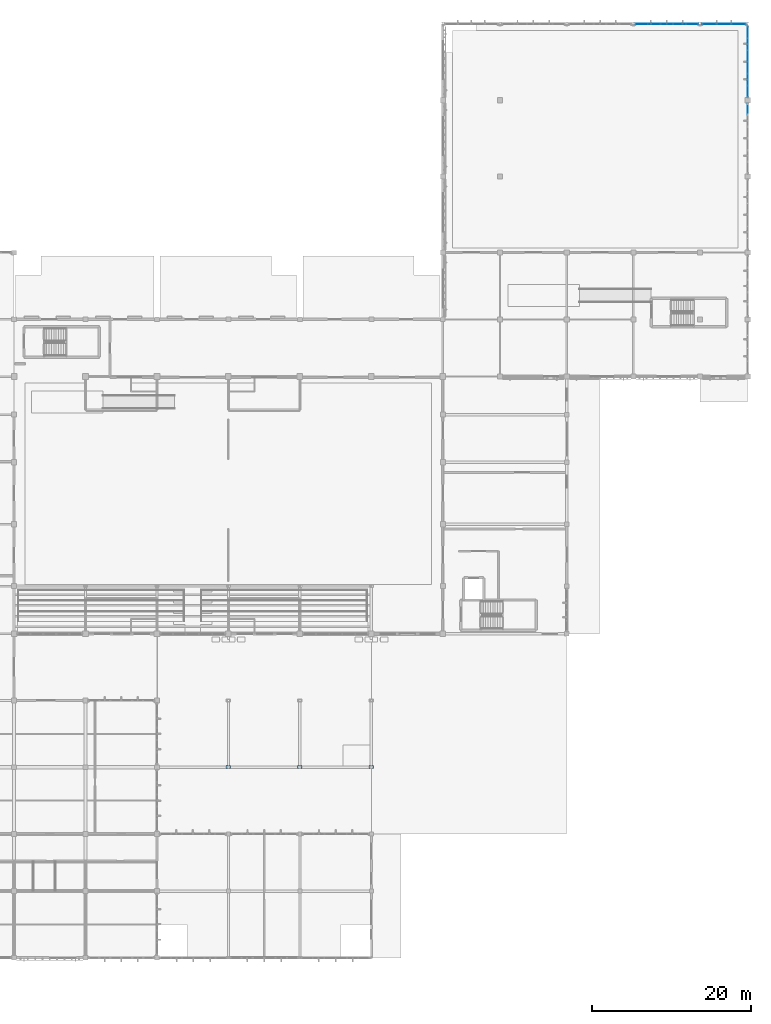
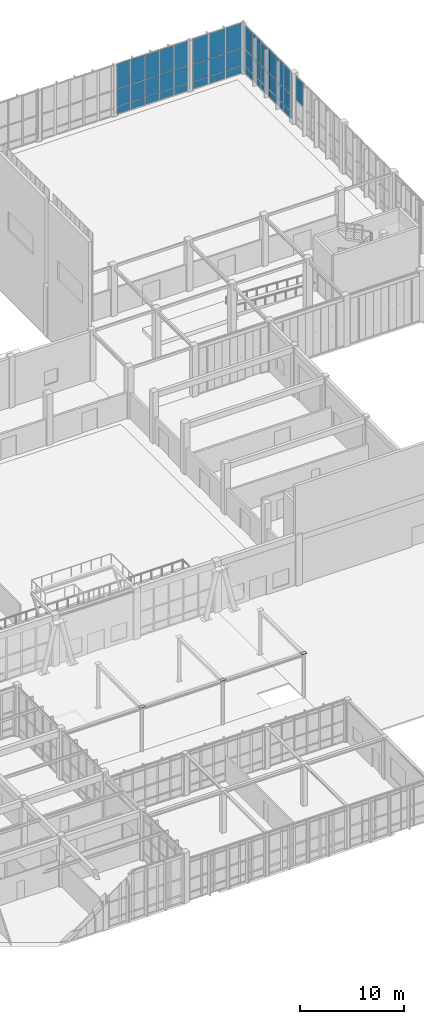
# One storey, part 71 of 110: 46 plates, 4 elements without a shape of their own.
"""IFC4 building model written with IfcOpenShell, lengths in metres."""

from ifc_helpers import new_model, si_unit, direction, frame, origin, origin_2d, place, context, subcontext, project, spatial, rectangle, extrude, material, layer, layer_set, type_object, element, aggregate, save


model = new_model("IFC4")

# Units and contexts
model_context = context("Model", 3, precision=1e-05, world=origin(), true_north=direction((0.0, 1.0)))
body_context = subcontext(model_context, "Body", "Model", "MODEL_VIEW")
ifc_project = project(units=[si_unit("LENGTHUNIT", "METRE"), si_unit("AREAUNIT", "SQUARE_METRE"), si_unit("VOLUMEUNIT", "CUBIC_METRE"), si_unit("PLANEANGLEUNIT", "RADIAN"), si_unit("MASSUNIT", "GRAM", prefix="KILO")], contexts=[model_context])

# Site, building, storey
site_placement = place(None, origin())
site = spatial("IfcSite", under=ifc_project, at=site_placement, CompositionType="ELEMENT")
building_placement = place(site_placement, origin())
building = spatial("IfcBuilding", under=site, at=building_placement, Name="Tizgana Railside Sports Hall", CompositionType="ELEMENT")
storey_placement = place(building_placement, origin())
storey = spatial("IfcBuildingStorey", under=building, at=storey_placement, Name="L00", CompositionType="ELEMENT", Elevation=0.0)

# Curtain wall, plates
ifc_material_1 = material(Name="Anodised aluminium and glass", Category="aluminium")
curtain_wall_type_1 = type_object("IfcCurtainWallType", Name="Unitised Curtain Wall Passage 1800", PredefinedType="NOTDEFINED", material=ifc_material_1)
curtain_wall_1_placement = place(storey_placement, origin())
curtain_wall_1 = element("IfcCurtainWall", 1, at=curtain_wall_1_placement, inside=storey, type_object=curtain_wall_type_1, Name="L00 Curtain Wall CW-0053", PredefinedType="NOTDEFINED")
ifc_material_2 = material(Name="Double low-E laminated glass", Category="glass")
ifc_layer_1 = layer(ifc_material_2, 0.033935546875, Name="Double low-E laminated glass")
ifc_layer_set_1 = layer_set([ifc_layer_1], Name="Double low-E laminated glass")
plate_type_1 = type_object("IfcPlateType", Name="Acoustic Laminated Glazing Panel 34", PredefinedType="CURTAIN_PANEL", material=ifc_layer_set_1)
plate_1_placement = place(storey_placement, frame((167.35546875, 117.60009765625, 0.10009765625), z_axis=(0.0, 0.0, 1.0), x_axis=(1.0, 0.0, 0.0)))
plate_1 = element("IfcPlate", 2, at=plate_1_placement, type_object=plate_type_1, Name="CW-06 panel 1.1", PredefinedType="CURTAIN_PANEL", context=body_context, shape_type="SweptSolid", body=[
    extrude(rectangle(XDim=1.750732421875, YDim=0.033935546875, at=origin_2d()), origin(), (0.0, 0.0, 1.0), 0.8173828125),
])
plate_2_placement = place(storey_placement, frame((167.35546875, 117.60009765625, 0.972412109375), z_axis=(0.0, 0.0, 1.0), x_axis=(1.0, 0.0, 0.0)))
plate_2 = element("IfcPlate", 3, at=plate_2_placement, type_object=plate_type_1, Name="CW-06 panel 1.2", PredefinedType="CURTAIN_PANEL", context=body_context, shape_type="SweptSolid", body=[
    extrude(rectangle(XDim=1.750732421875, YDim=0.033935546875, at=origin_2d()), origin(), (0.0, 0.0, 1.0), 2.0224609375),
])
plate_3_placement = place(storey_placement, frame((167.35546875, 117.60009765625, 3.050048828125), z_axis=(0.0, 0.0, 1.0), x_axis=(1.0, 0.0, 0.0)))
plate_3 = element("IfcPlate", 4, at=plate_3_placement, type_object=plate_type_1, Name="CW-06 panel 1.3", PredefinedType="CURTAIN_PANEL", context=body_context, shape_type="SweptSolid", body=[
    extrude(rectangle(XDim=1.750732421875, YDim=0.033935546875, at=origin_2d()), origin(), (0.0, 0.0, 1.0), 2.89501953125),
])
plate_4_placement = place(storey_placement, frame((169.199951171875, 117.60009765625, 0.10009765625), z_axis=(0.0, 0.0, 1.0), x_axis=(1.0, 0.0, 0.0)))
plate_4 = element("IfcPlate", 5, at=plate_4_placement, type_object=plate_type_1, Name="CW-06 panel 2.1", PredefinedType="CURTAIN_PANEL", context=body_context, shape_type="SweptSolid", body=[
    extrude(rectangle(XDim=1.788330078125, YDim=0.033935546875, at=origin_2d()), origin(), (0.0, 0.0, 1.0), 0.8173828125),
])
plate_5_placement = place(storey_placement, frame((169.199951171875, 117.60009765625, 0.972412109375), z_axis=(0.0, 0.0, 1.0), x_axis=(1.0, 0.0, 0.0)))
plate_5 = element("IfcPlate", 6, at=plate_5_placement, type_object=plate_type_1, Name="CW-06 panel 2.2", PredefinedType="CURTAIN_PANEL", context=body_context, shape_type="SweptSolid", body=[
    extrude(rectangle(XDim=1.788330078125, YDim=0.033935546875, at=origin_2d()), origin(), (0.0, 0.0, 1.0), 2.0224609375),
])
plate_6_placement = place(storey_placement, frame((169.199951171875, 117.60009765625, 3.050048828125), z_axis=(0.0, 0.0, 1.0), x_axis=(1.0, 0.0, 0.0)))
plate_6 = element("IfcPlate", 7, at=plate_6_placement, type_object=plate_type_1, Name="CW-06 panel 2.3", PredefinedType="CURTAIN_PANEL", context=body_context, shape_type="SweptSolid", body=[
    extrude(rectangle(XDim=1.788330078125, YDim=0.033935546875, at=origin_2d()), origin(), (0.0, 0.0, 1.0), 2.89501953125),
])
plate_7_placement = place(storey_placement, frame((171.044677734375, 117.60009765625, 0.10009765625), z_axis=(0.0, 0.0, 1.0), x_axis=(1.0, 0.0, 0.0)))
plate_7 = element("IfcPlate", 8, at=plate_7_placement, type_object=plate_type_1, Name="CW-06 panel 3.1", PredefinedType="CURTAIN_PANEL", context=body_context, shape_type="SweptSolid", body=[
    extrude(rectangle(XDim=1.750732421875, YDim=0.033935546875, at=origin_2d()), origin(), (0.0, 0.0, 1.0), 0.8173828125),
])
plate_8_placement = place(storey_placement, frame((171.044677734375, 117.60009765625, 0.972412109375), z_axis=(0.0, 0.0, 1.0), x_axis=(1.0, 0.0, 0.0)))
plate_8 = element("IfcPlate", 9, at=plate_8_placement, type_object=plate_type_1, Name="CW-06 panel 3.2", PredefinedType="CURTAIN_PANEL", context=body_context, shape_type="SweptSolid", body=[
    extrude(rectangle(XDim=1.750732421875, YDim=0.033935546875, at=origin_2d()), origin(), (0.0, 0.0, 1.0), 2.0224609375),
])
plate_9_placement = place(storey_placement, frame((171.044677734375, 117.60009765625, 3.050048828125), z_axis=(0.0, 0.0, 1.0), x_axis=(1.0, 0.0, 0.0)))
plate_9 = element("IfcPlate", 10, at=plate_9_placement, type_object=plate_type_1, Name="CW-06 panel 3.3", PredefinedType="CURTAIN_PANEL", context=body_context, shape_type="SweptSolid", body=[
    extrude(rectangle(XDim=1.750732421875, YDim=0.033935546875, at=origin_2d()), origin(), (0.0, 0.0, 1.0), 2.89501953125),
])
aggregate(curtain_wall_1, [plate_1, plate_2, plate_3, plate_4, plate_5, plate_6, plate_7, plate_8, plate_9])

# Curtain wall, plate
curtain_wall_type_2 = type_object("IfcCurtainWallType", Name="Unitised Curtain Wall Foyer 1300", PredefinedType="NOTDEFINED", material=ifc_material_1)
curtain_wall_2_placement = place(storey_placement, origin())
curtain_wall_2 = element("IfcCurtainWall", 11, at=curtain_wall_2_placement, inside=storey, type_object=curtain_wall_type_2, Name="L00 Curtain Wall CW-0065", PredefinedType="NOTDEFINED")
plate_10_placement = place(storey_placement, frame((172.199951171875, 106.864501953125, 2.929931640625), z_axis=(0.0, 0.0, 1.0), x_axis=(0.0, 1.0, 0.0)))
plate_10 = element("IfcPlate", 12, at=plate_10_placement, type_object=plate_type_1, Name="CW-02 panel 6.3", PredefinedType="CURTAIN_PANEL", context=body_context, shape_type="SweptSolid", body=[
    extrude(rectangle(XDim=1.36083984375, YDim=0.033935546875, at=origin_2d()), origin(), (0.0, 0.0, 1.0), 2.77490234375),
])
aggregate(curtain_wall_2, [plate_10])

# Plates
ifc_material_3 = material(Name="Steel S355J2", Category="steel")
ifc_layer_2 = layer(ifc_material_3, 0.028076171875, Name="Steel S355J2")
ifc_layer_set_2 = layer_set([ifc_layer_2], Name="Steel S355J2")
plate_type_2 = type_object("IfcPlateType", Name="Canopy Post Base Plate 560x380x28", PredefinedType="USERDEFINED", material=ifc_layer_set_2)
for number, where, z_axis, x_axis, name in (
    (13, (106.800048828125, 24.0, 5.19580078125), (0.0, 0.0, 1.0), (1.0, 0.0, 0.0), "L00 Canopy Column Cap Plate"),
    (14, (115.800048828125, 24.0, 5.19580078125), (0.0, 0.0, 1.0), (1.0, 0.0, 0.0), "L00 Canopy Column Cap Plate"),
    (15, (124.800048828125, 24.0, 5.19580078125), (0.0, 0.0, 1.0), (1.0, 0.0, 0.0), "L00 Canopy Column Cap Plate"),
):
    element("IfcPlate", number, at=place(storey_placement, frame(where, z_axis=z_axis, x_axis=x_axis)), inside=storey, type_object=plate_type_2, Name=name, ObjectType="BASE_PLATE", PredefinedType="USERDEFINED", context=body_context, shape_type="SweptSolid", body=[
        extrude(rectangle(XDim=0.56005859375, YDim=0.3798828125, at=origin_2d()), origin(), (0.0, 0.0, 1.0), 0.028076171875),
    ])

# Curtain wall, plates
curtain_wall_type_3 = type_object("IfcCurtainWallType", Name="Unitised Curtain Wall Studio 1400", PredefinedType="NOTDEFINED", material=ifc_material_1)
curtain_wall_3_placement = place(storey_placement, origin())
curtain_wall_3 = element("IfcCurtainWall", 16, at=curtain_wall_3_placement, inside=storey, type_object=curtain_wall_type_3, Name="L00 Curtain Wall CW-0050", PredefinedType="NOTDEFINED")
ifc_layer_3 = layer(ifc_material_2, 0.0400390625, Name="Double low-E laminated glass")
ifc_layer_set_3 = layer_set([ifc_layer_3], Name="Double low-E laminated glass")
plate_type_3 = type_object("IfcPlateType", Name="High-Span Tempered Glazing Panel 40", PredefinedType="CURTAIN_PANEL", material=ifc_layer_set_3)
plate_11_placement = place(storey_placement, frame((158.819091796875, 117.60009765625, 0.10498046875), z_axis=(0.0, 0.0, 1.0), x_axis=(1.0, 0.0, 0.0)))
plate_11 = element("IfcPlate", 17, at=plate_11_placement, type_object=plate_type_3, Name="CW-03 panel 1.1", PredefinedType="CURTAIN_PANEL", context=body_context, shape_type="SweptSolid", body=[
    extrude(rectangle(XDim=1.508056640625, YDim=0.0400390625, at=origin_2d()), origin(), (0.0, 0.0, 1.0), 0.81005859375),
])
plate_12_placement = place(storey_placement, frame((158.819091796875, 117.60009765625, 0.974853515625), z_axis=(0.0, 0.0, 1.0), x_axis=(1.0, 0.0, 0.0)))
plate_12 = element("IfcPlate", 18, at=plate_12_placement, type_object=plate_type_3, Name="CW-03 panel 1.2", PredefinedType="CURTAIN_PANEL", context=body_context, shape_type="SweptSolid", body=[
    extrude(rectangle(XDim=1.508056640625, YDim=0.0400390625, at=origin_2d()), origin(), (0.0, 0.0, 1.0), 2.017578125),
])
plate_13_placement = place(storey_placement, frame((158.819091796875, 117.60009765625, 3.052734375), z_axis=(0.0, 0.0, 1.0), x_axis=(1.0, 0.0, 0.0)))
plate_13 = element("IfcPlate", 19, at=plate_13_placement, type_object=plate_type_3, Name="CW-03 panel 1.3", PredefinedType="CURTAIN_PANEL", context=body_context, shape_type="SweptSolid", body=[
    extrude(rectangle(XDim=1.508056640625, YDim=0.0400390625, at=origin_2d()), origin(), (0.0, 0.0, 1.0), 2.887451171875),
])
plate_14_placement = place(storey_placement, frame((160.402099609375, 117.60009765625, 0.10498046875), z_axis=(0.0, 0.0, 1.0), x_axis=(1.0, 0.0, 0.0)))
plate_14 = element("IfcPlate", 20, at=plate_14_placement, type_object=plate_type_3, Name="CW-03 panel 2.1", PredefinedType="CURTAIN_PANEL", context=body_context, shape_type="SweptSolid", body=[
    extrude(rectangle(XDim=1.5380859375, YDim=0.0400390625, at=origin_2d()), origin(), (0.0, 0.0, 1.0), 0.81005859375),
])
plate_15_placement = place(storey_placement, frame((160.402099609375, 117.60009765625, 0.974853515625), z_axis=(0.0, 0.0, 1.0), x_axis=(1.0, 0.0, 0.0)))
plate_15 = element("IfcPlate", 21, at=plate_15_placement, type_object=plate_type_3, Name="CW-03 panel 2.2", PredefinedType="CURTAIN_PANEL", context=body_context, shape_type="SweptSolid", body=[
    extrude(rectangle(XDim=1.5380859375, YDim=0.0400390625, at=origin_2d()), origin(), (0.0, 0.0, 1.0), 2.017578125),
])
plate_16_placement = place(storey_placement, frame((160.402099609375, 117.60009765625, 3.052734375), z_axis=(0.0, 0.0, 1.0), x_axis=(1.0, 0.0, 0.0)))
plate_16 = element("IfcPlate", 22, at=plate_16_placement, type_object=plate_type_3, Name="CW-03 panel 2.3", PredefinedType="CURTAIN_PANEL", context=body_context, shape_type="SweptSolid", body=[
    extrude(rectangle(XDim=1.5380859375, YDim=0.0400390625, at=origin_2d()), origin(), (0.0, 0.0, 1.0), 2.887451171875),
])
plate_17_placement = place(storey_placement, frame((162.0, 117.60009765625, 0.10498046875), z_axis=(0.0, 0.0, 1.0), x_axis=(1.0, 0.0, 0.0)))
plate_17 = element("IfcPlate", 23, at=plate_17_placement, type_object=plate_type_3, Name="CW-03 panel 3.1", PredefinedType="CURTAIN_PANEL", context=body_context, shape_type="SweptSolid", body=[
    extrude(rectangle(XDim=1.5380859375, YDim=0.0400390625, at=origin_2d()), origin(), (0.0, 0.0, 1.0), 0.81005859375),
])
plate_18_placement = place(storey_placement, frame((162.0, 117.60009765625, 0.974853515625), z_axis=(0.0, 0.0, 1.0), x_axis=(1.0, 0.0, 0.0)))
plate_18 = element("IfcPlate", 24, at=plate_18_placement, type_object=plate_type_3, Name="CW-03 panel 3.2", PredefinedType="CURTAIN_PANEL", context=body_context, shape_type="SweptSolid", body=[
    extrude(rectangle(XDim=1.5380859375, YDim=0.0400390625, at=origin_2d()), origin(), (0.0, 0.0, 1.0), 2.017578125),
])
plate_19_placement = place(storey_placement, frame((162.0, 117.60009765625, 3.052734375), z_axis=(0.0, 0.0, 1.0), x_axis=(1.0, 0.0, 0.0)))
plate_19 = element("IfcPlate", 25, at=plate_19_placement, type_object=plate_type_3, Name="CW-03 panel 3.3", PredefinedType="CURTAIN_PANEL", context=body_context, shape_type="SweptSolid", body=[
    extrude(rectangle(XDim=1.5380859375, YDim=0.0400390625, at=origin_2d()), origin(), (0.0, 0.0, 1.0), 2.887451171875),
])
plate_20_placement = place(storey_placement, frame((163.597900390625, 117.60009765625, 0.10498046875), z_axis=(0.0, 0.0, 1.0), x_axis=(1.0, 0.0, 0.0)))
plate_20 = element("IfcPlate", 26, at=plate_20_placement, type_object=plate_type_3, Name="CW-03 panel 4.1", PredefinedType="CURTAIN_PANEL", context=body_context, shape_type="SweptSolid", body=[
    extrude(rectangle(XDim=1.5380859375, YDim=0.0400390625, at=origin_2d()), origin(), (0.0, 0.0, 1.0), 0.81005859375),
])
plate_21_placement = place(storey_placement, frame((163.597900390625, 117.60009765625, 0.974853515625), z_axis=(0.0, 0.0, 1.0), x_axis=(1.0, 0.0, 0.0)))
plate_21 = element("IfcPlate", 27, at=plate_21_placement, type_object=plate_type_3, Name="CW-03 panel 4.2", PredefinedType="CURTAIN_PANEL", context=body_context, shape_type="SweptSolid", body=[
    extrude(rectangle(XDim=1.5380859375, YDim=0.0400390625, at=origin_2d()), origin(), (0.0, 0.0, 1.0), 2.017578125),
])
plate_22_placement = place(storey_placement, frame((163.597900390625, 117.60009765625, 3.052734375), z_axis=(0.0, 0.0, 1.0), x_axis=(1.0, 0.0, 0.0)))
plate_22 = element("IfcPlate", 28, at=plate_22_placement, type_object=plate_type_3, Name="CW-03 panel 4.3", PredefinedType="CURTAIN_PANEL", context=body_context, shape_type="SweptSolid", body=[
    extrude(rectangle(XDim=1.5380859375, YDim=0.0400390625, at=origin_2d()), origin(), (0.0, 0.0, 1.0), 2.887451171875),
])
plate_23_placement = place(storey_placement, frame((165.180908203125, 117.60009765625, 0.10498046875), z_axis=(0.0, 0.0, 1.0), x_axis=(1.0, 0.0, 0.0)))
plate_23 = element("IfcPlate", 29, at=plate_23_placement, type_object=plate_type_3, Name="CW-03 panel 5.1", PredefinedType="CURTAIN_PANEL", context=body_context, shape_type="SweptSolid", body=[
    extrude(rectangle(XDim=1.508056640625, YDim=0.0400390625, at=origin_2d()), origin(), (0.0, 0.0, 1.0), 0.81005859375),
])
plate_24_placement = place(storey_placement, frame((165.180908203125, 117.60009765625, 0.974853515625), z_axis=(0.0, 0.0, 1.0), x_axis=(1.0, 0.0, 0.0)))
plate_24 = element("IfcPlate", 30, at=plate_24_placement, type_object=plate_type_3, Name="CW-03 panel 5.2", PredefinedType="CURTAIN_PANEL", context=body_context, shape_type="SweptSolid", body=[
    extrude(rectangle(XDim=1.508056640625, YDim=0.0400390625, at=origin_2d()), origin(), (0.0, 0.0, 1.0), 2.017578125),
])
plate_25_placement = place(storey_placement, frame((165.180908203125, 117.60009765625, 3.052734375), z_axis=(0.0, 0.0, 1.0), x_axis=(1.0, 0.0, 0.0)))
plate_25 = element("IfcPlate", 31, at=plate_25_placement, type_object=plate_type_3, Name="CW-03 panel 5.3", PredefinedType="CURTAIN_PANEL", context=body_context, shape_type="SweptSolid", body=[
    extrude(rectangle(XDim=1.508056640625, YDim=0.0400390625, at=origin_2d()), origin(), (0.0, 0.0, 1.0), 2.887451171875),
])
aggregate(curtain_wall_3, [plate_11, plate_12, plate_13, plate_14, plate_15, plate_16, plate_17, plate_18, plate_19, plate_20, plate_21, plate_22, plate_23, plate_24, plate_25])

curtain_wall_type_4 = type_object("IfcCurtainWallType", Name="Unitised Curtain Wall Clinic 1200", PredefinedType="NOTDEFINED", material=ifc_material_1)
curtain_wall_4_placement = place(storey_placement, origin())
curtain_wall_4 = element("IfcCurtainWall", 32, at=curtain_wall_4_placement, inside=storey, type_object=curtain_wall_type_4, Name="L00 Curtain Wall CW-0068", PredefinedType="NOTDEFINED")
ifc_layer_4 = layer(ifc_material_2, 0.028076171875, Name="Double low-E laminated glass")
ifc_layer_set_4 = layer_set([ifc_layer_4], Name="Double low-E laminated glass")
plate_type_4 = type_object("IfcPlateType", Name="Solar Low-E Glazing Panel 28", PredefinedType="CURTAIN_PANEL", material=ifc_layer_set_4)
plate_26_placement = place(storey_placement, frame((172.199951171875, 109.139892578125, 0.10498046875), z_axis=(0.0, 0.0, 1.0), x_axis=(0.0, 1.0, 0.0)))
plate_26 = element("IfcPlate", 33, at=plate_26_placement, type_object=plate_type_4, Name="CW-05 panel 1.1", PredefinedType="CURTAIN_PANEL", context=body_context, shape_type="SweptSolid", body=[
    extrude(rectangle(XDim=1.39990234375, YDim=0.028076171875, at=origin_2d()), origin(), (0.0, 0.0, 1.0), 0.81005859375),
])
plate_27_placement = place(storey_placement, frame((172.199951171875, 109.139892578125, 0.97509765625), z_axis=(0.0, 0.0, 1.0), x_axis=(0.0, 1.0, 0.0)))
plate_27 = element("IfcPlate", 34, at=plate_27_placement, type_object=plate_type_4, Name="CW-05 panel 1.2", PredefinedType="CURTAIN_PANEL", context=body_context, shape_type="SweptSolid", body=[
    extrude(rectangle(XDim=1.39990234375, YDim=0.028076171875, at=origin_2d()), origin(), (0.0, 0.0, 1.0), 1.8974609375),
])
plate_28_placement = place(storey_placement, frame((172.199951171875, 109.139892578125, 2.932373046875), z_axis=(0.0, 0.0, 1.0), x_axis=(0.0, 1.0, 0.0)))
plate_28 = element("IfcPlate", 35, at=plate_28_placement, type_object=plate_type_4, Name="CW-05 panel 1.3", PredefinedType="CURTAIN_PANEL", context=body_context, shape_type="SweptSolid", body=[
    extrude(rectangle(XDim=1.39990234375, YDim=0.028076171875, at=origin_2d()), origin(), (0.0, 0.0, 1.0), 2.767578125),
])
plate_29_placement = place(storey_placement, frame((172.199951171875, 110.614990234375, 0.10498046875), z_axis=(0.0, 0.0, 1.0), x_axis=(0.0, 1.0, 0.0)))
plate_29 = element("IfcPlate", 36, at=plate_29_placement, type_object=plate_type_4, Name="CW-05 panel 2.1", PredefinedType="CURTAIN_PANEL", context=body_context, shape_type="SweptSolid", body=[
    extrude(rectangle(XDim=1.429931640625, YDim=0.028076171875, at=origin_2d()), origin(), (0.0, 0.0, 1.0), 0.81005859375),
])
plate_30_placement = place(storey_placement, frame((172.199951171875, 110.614990234375, 0.97509765625), z_axis=(0.0, 0.0, 1.0), x_axis=(0.0, 1.0, 0.0)))
plate_30 = element("IfcPlate", 37, at=plate_30_placement, type_object=plate_type_4, Name="CW-05 panel 2.2", PredefinedType="CURTAIN_PANEL", context=body_context, shape_type="SweptSolid", body=[
    extrude(rectangle(XDim=1.429931640625, YDim=0.028076171875, at=origin_2d()), origin(), (0.0, 0.0, 1.0), 1.8974609375),
])
plate_31_placement = place(storey_placement, frame((172.199951171875, 110.614990234375, 2.932373046875), z_axis=(0.0, 0.0, 1.0), x_axis=(0.0, 1.0, 0.0)))
plate_31 = element("IfcPlate", 38, at=plate_31_placement, type_object=plate_type_4, Name="CW-05 panel 2.3", PredefinedType="CURTAIN_PANEL", context=body_context, shape_type="SweptSolid", body=[
    extrude(rectangle(XDim=1.429931640625, YDim=0.028076171875, at=origin_2d()), origin(), (0.0, 0.0, 1.0), 2.767578125),
])
plate_32_placement = place(storey_placement, frame((172.199951171875, 112.10498046875, 0.10498046875), z_axis=(0.0, 0.0, 1.0), x_axis=(0.0, 1.0, 0.0)))
plate_32 = element("IfcPlate", 39, at=plate_32_placement, type_object=plate_type_4, Name="CW-05 panel 3.1", PredefinedType="CURTAIN_PANEL", context=body_context, shape_type="SweptSolid", body=[
    extrude(rectangle(XDim=1.429931640625, YDim=0.028076171875, at=origin_2d()), origin(), (0.0, 0.0, 1.0), 0.81005859375),
])
plate_33_placement = place(storey_placement, frame((172.199951171875, 112.10498046875, 0.97509765625), z_axis=(0.0, 0.0, 1.0), x_axis=(0.0, 1.0, 0.0)))
plate_33 = element("IfcPlate", 40, at=plate_33_placement, type_object=plate_type_4, Name="CW-05 panel 3.2", PredefinedType="CURTAIN_PANEL", context=body_context, shape_type="SweptSolid", body=[
    extrude(rectangle(XDim=1.429931640625, YDim=0.028076171875, at=origin_2d()), origin(), (0.0, 0.0, 1.0), 1.8974609375),
])
plate_34_placement = place(storey_placement, frame((172.199951171875, 112.10498046875, 2.932373046875), z_axis=(0.0, 0.0, 1.0), x_axis=(0.0, 1.0, 0.0)))
plate_34 = element("IfcPlate", 41, at=plate_34_placement, type_object=plate_type_4, Name="CW-05 panel 3.3", PredefinedType="CURTAIN_PANEL", context=body_context, shape_type="SweptSolid", body=[
    extrude(rectangle(XDim=1.429931640625, YDim=0.028076171875, at=origin_2d()), origin(), (0.0, 0.0, 1.0), 2.767578125),
])
plate_35_placement = place(storey_placement, frame((172.199951171875, 113.594970703125, 0.10498046875), z_axis=(0.0, 0.0, 1.0), x_axis=(0.0, 1.0, 0.0)))
plate_35 = element("IfcPlate", 42, at=plate_35_placement, type_object=plate_type_4, Name="CW-05 panel 4.1", PredefinedType="CURTAIN_PANEL", context=body_context, shape_type="SweptSolid", body=[
    extrude(rectangle(XDim=1.429931640625, YDim=0.028076171875, at=origin_2d()), origin(), (0.0, 0.0, 1.0), 0.81005859375),
])
plate_36_placement = place(storey_placement, frame((172.199951171875, 113.594970703125, 0.97509765625), z_axis=(0.0, 0.0, 1.0), x_axis=(0.0, 1.0, 0.0)))
plate_36 = element("IfcPlate", 43, at=plate_36_placement, type_object=plate_type_4, Name="CW-05 panel 4.2", PredefinedType="CURTAIN_PANEL", context=body_context, shape_type="SweptSolid", body=[
    extrude(rectangle(XDim=1.429931640625, YDim=0.028076171875, at=origin_2d()), origin(), (0.0, 0.0, 1.0), 1.8974609375),
])
plate_37_placement = place(storey_placement, frame((172.199951171875, 113.594970703125, 2.932373046875), z_axis=(0.0, 0.0, 1.0), x_axis=(0.0, 1.0, 0.0)))
plate_37 = element("IfcPlate", 44, at=plate_37_placement, type_object=plate_type_4, Name="CW-05 panel 4.3", PredefinedType="CURTAIN_PANEL", context=body_context, shape_type="SweptSolid", body=[
    extrude(rectangle(XDim=1.429931640625, YDim=0.028076171875, at=origin_2d()), origin(), (0.0, 0.0, 1.0), 2.767578125),
])
plate_38_placement = place(storey_placement, frame((172.199951171875, 115.0849609375, 0.10498046875), z_axis=(0.0, 0.0, 1.0), x_axis=(0.0, 1.0, 0.0)))
plate_38 = element("IfcPlate", 45, at=plate_38_placement, type_object=plate_type_4, Name="CW-05 panel 5.1", PredefinedType="CURTAIN_PANEL", context=body_context, shape_type="SweptSolid", body=[
    extrude(rectangle(XDim=1.429931640625, YDim=0.028076171875, at=origin_2d()), origin(), (0.0, 0.0, 1.0), 0.81005859375),
])
plate_39_placement = place(storey_placement, frame((172.199951171875, 115.0849609375, 0.97509765625), z_axis=(0.0, 0.0, 1.0), x_axis=(0.0, 1.0, 0.0)))
plate_39 = element("IfcPlate", 46, at=plate_39_placement, type_object=plate_type_4, Name="CW-05 panel 5.2", PredefinedType="CURTAIN_PANEL", context=body_context, shape_type="SweptSolid", body=[
    extrude(rectangle(XDim=1.429931640625, YDim=0.028076171875, at=origin_2d()), origin(), (0.0, 0.0, 1.0), 1.8974609375),
])
plate_40_placement = place(storey_placement, frame((172.199951171875, 115.0849609375, 2.932373046875), z_axis=(0.0, 0.0, 1.0), x_axis=(0.0, 1.0, 0.0)))
plate_40 = element("IfcPlate", 47, at=plate_40_placement, type_object=plate_type_4, Name="CW-05 panel 5.3", PredefinedType="CURTAIN_PANEL", context=body_context, shape_type="SweptSolid", body=[
    extrude(rectangle(XDim=1.429931640625, YDim=0.028076171875, at=origin_2d()), origin(), (0.0, 0.0, 1.0), 2.767578125),
])
plate_41_placement = place(storey_placement, frame((172.199951171875, 116.56005859375, 0.10498046875), z_axis=(0.0, 0.0, 1.0), x_axis=(0.0, 1.0, 0.0)))
plate_41 = element("IfcPlate", 48, at=plate_41_placement, type_object=plate_type_4, Name="CW-05 panel 6.1", PredefinedType="CURTAIN_PANEL", context=body_context, shape_type="SweptSolid", body=[
    extrude(rectangle(XDim=1.39990234375, YDim=0.028076171875, at=origin_2d()), origin(), (0.0, 0.0, 1.0), 0.81005859375),
])
plate_42_placement = place(storey_placement, frame((172.199951171875, 116.56005859375, 0.97509765625), z_axis=(0.0, 0.0, 1.0), x_axis=(0.0, 1.0, 0.0)))
plate_42 = element("IfcPlate", 49, at=plate_42_placement, type_object=plate_type_4, Name="CW-05 panel 6.2", PredefinedType="CURTAIN_PANEL", context=body_context, shape_type="SweptSolid", body=[
    extrude(rectangle(XDim=1.39990234375, YDim=0.028076171875, at=origin_2d()), origin(), (0.0, 0.0, 1.0), 1.8974609375),
])
plate_43_placement = place(storey_placement, frame((172.199951171875, 116.56005859375, 2.932373046875), z_axis=(0.0, 0.0, 1.0), x_axis=(0.0, 1.0, 0.0)))
plate_43 = element("IfcPlate", 50, at=plate_43_placement, type_object=plate_type_4, Name="CW-05 panel 6.3", PredefinedType="CURTAIN_PANEL", context=body_context, shape_type="SweptSolid", body=[
    extrude(rectangle(XDim=1.39990234375, YDim=0.028076171875, at=origin_2d()), origin(), (0.0, 0.0, 1.0), 2.767578125),
])
aggregate(curtain_wall_4, [plate_26, plate_27, plate_28, plate_29, plate_30, plate_31, plate_32, plate_33, plate_34, plate_35, plate_36, plate_37, plate_38, plate_39, plate_40, plate_41, plate_42, plate_43])

save(model, "model.ifc")
